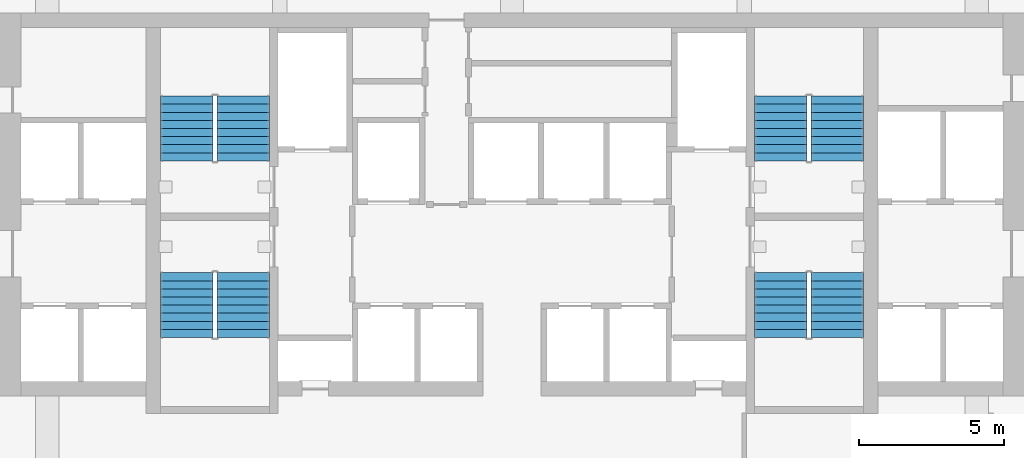
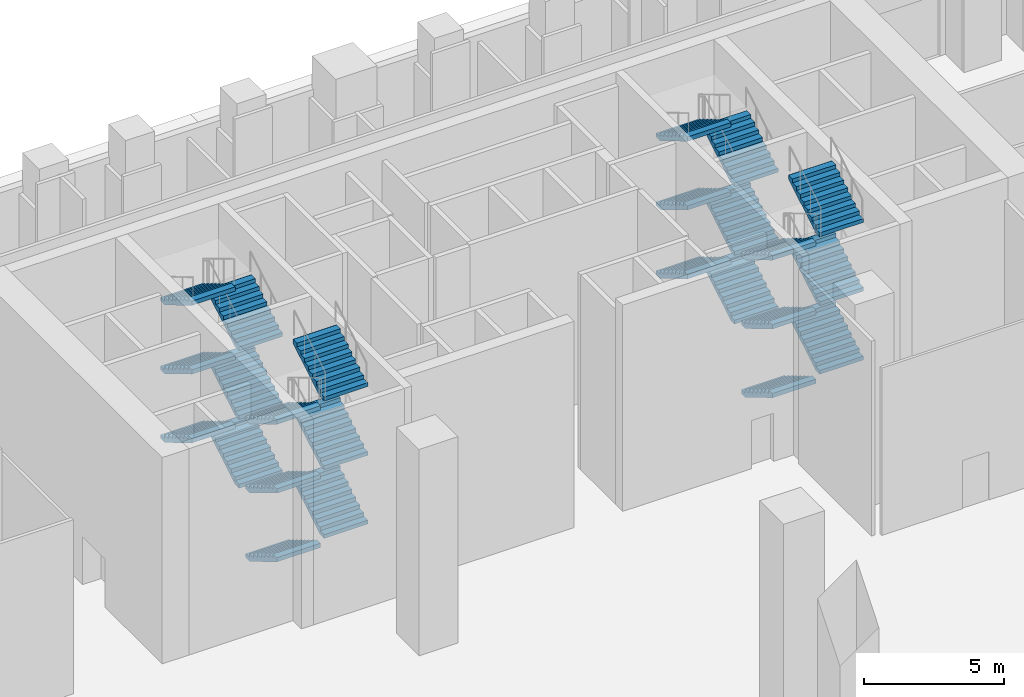
# One storey, part 33 of 51: 24 stair flights, 4 elements without a shape of their own.
"""IFC4 building model written with IfcOpenShell, lengths in metres."""

from ifc_helpers import new_model, si_unit, direction, frame, origin, place, context, subcontext, project, spatial, faceted_brep, source, transform, mapped, material, type_object, element, aggregate, save


model = new_model("IFC4")

# Units and contexts
model_context = context("Model", 3, precision=1e-05, world=origin(), true_north=direction((0.0, 1.0)))
body_context = subcontext(model_context, "Body", "Model", "MODEL_VIEW")
ifc_project = project(units=[si_unit("LENGTHUNIT", "METRE"), si_unit("AREAUNIT", "SQUARE_METRE"), si_unit("VOLUMEUNIT", "CUBIC_METRE"), si_unit("PLANEANGLEUNIT", "RADIAN"), si_unit("MASSUNIT", "GRAM", prefix="KILO")], contexts=[model_context])

# Site, building, storey
site_placement = place(None, origin())
site = spatial("IfcSite", under=ifc_project, at=site_placement, CompositionType="ELEMENT")
building_placement = place(site_placement, origin())
building = spatial("IfcBuilding", under=site, at=building_placement, Name="Calabash Gate Tower", CompositionType="ELEMENT")
storey_placement = place(building_placement, origin())
storey = spatial("IfcBuildingStorey", under=building, at=storey_placement, Name="L00", CompositionType="ELEMENT", Elevation=0.0)

# Stair, stair flights
ifc_material_1 = material(Name="Concrete C40/50", Category="concrete")
stair_type = type_object("IfcStairType", Name="Exit stair 54 risers of 166.7 mm", PredefinedType="HALF_TURN_STAIR", material=ifc_material_1)
stair_1_placement = place(storey_placement, origin())
stair_1 = element("IfcStair", 1, at=stair_1_placement, inside=storey, type_object=stair_type, Name="L00 Exit stair ST1", PredefinedType="HALF_TURN_STAIR")
ifc_material_2 = material(Name="Concrete C40/50", Category="concrete")
stair_flight_type = type_object("IfcStairFlightType", Name="Exit stair flight SFL", PredefinedType="STRAIGHT", material=ifc_material_2)
shared_shape = source(origin(), body_context, "Body", "Brep", [
    faceted_brep([(-0.0009765625, -0.89990234375, 0.0), (0.292236328125, -0.89990234375, 0.0), (2.23291015625, -0.89990234375, 1.15869140625), (-0.0009765625, 0.89990234375, 0.0), (2.23291015625, 0.89990234375, 1.15869140625), (0.292236328125, 0.89990234375, 0.0), (2.23291015625, -0.89990234375, 1.34521484375), (2.23193359375, -0.89990234375, 1.34521484375), (2.23193359375, 0.89990234375, 1.34521484375), (2.23291015625, 0.89990234375, 1.34521484375), (2.23193359375, -0.89990234375, 1.333251953125), (2.23193359375, 0.89990234375, 1.333251953125), (1.952880859375, -0.89990234375, 1.333251953125), (1.952880859375, 0.89990234375, 1.333251953125), (1.952880859375, -0.89990234375, 1.166748046875), (1.952880859375, 0.89990234375, 1.166748046875), (1.674072265625, -0.89990234375, 1.166748046875), (1.674072265625, 0.89990234375, 1.166748046875), (1.674072265625, -0.89990234375, 1.0), (1.674072265625, 0.89990234375, 1.0), (1.39501953125, -0.89990234375, 1.0), (1.39501953125, -0.89990234375, 0.833251953125), (1.39501953125, 0.89990234375, 0.833251953125), (1.39501953125, 0.89990234375, 1.0), (1.115966796875, -0.89990234375, 0.833251953125), (1.115966796875, -0.89990234375, 0.666748046875), (1.115966796875, 0.89990234375, 0.666748046875), (1.115966796875, 0.89990234375, 0.833251953125), (0.8369140625, -0.89990234375, 0.666748046875), (0.8369140625, -0.89990234375, 0.5), (0.8369140625, 0.89990234375, 0.5), (0.8369140625, 0.89990234375, 0.666748046875), (0.55810546875, -0.89990234375, 0.5), (0.55810546875, -0.89990234375, 0.333251953125), (0.55810546875, 0.89990234375, 0.333251953125), (0.55810546875, 0.89990234375, 0.5), (0.279052734375, -0.89990234375, 0.333251953125), (0.279052734375, -0.89990234375, 0.166748046875), (0.279052734375, 0.89990234375, 0.166748046875), (0.279052734375, 0.89990234375, 0.333251953125), (-0.0009765625, -0.89990234375, 0.166748046875), (-0.0009765625, 0.89990234375, 0.166748046875), (0.292236328125, -0.360107421875, 0.0), (2.23291015625, -0.360107421875, 1.15869140625), (0.292236328125, -0.239990234375, 0.0), (2.23291015625, -0.239990234375, 1.15869140625), (0.292236328125, -0.1201171875, 0.0), (2.23291015625, -0.1201171875, 1.15869140625), (0.292236328125, 0.0, 0.0), (2.23291015625, 0.0, 1.15869140625), (0.292236328125, 0.1201171875, 0.0), (2.23291015625, 0.1201171875, 1.15869140625), (0.292236328125, 0.239990234375, 0.0), (2.23291015625, 0.239990234375, 1.15869140625), (0.292236328125, 0.360107421875, 0.0), (2.23291015625, 0.360107421875, 1.15869140625), (2.23291015625, -0.360107421875, 1.34521484375), (2.23291015625, -0.239990234375, 1.34521484375), (2.23291015625, -0.1201171875, 1.34521484375), (2.23291015625, 0.0, 1.34521484375), (2.23291015625, 0.1201171875, 1.34521484375), (2.23291015625, 0.239990234375, 1.34521484375), (2.23291015625, 0.360107421875, 1.34521484375), (2.23193359375, -0.360107421875, 1.34521484375), (2.23193359375, -0.239990234375, 1.34521484375), (2.23193359375, -0.1201171875, 1.34521484375), (2.23193359375, 0.0, 1.34521484375), (2.23193359375, 0.1201171875, 1.34521484375), (2.23193359375, 0.239990234375, 1.34521484375), (2.23193359375, 0.360107421875, 1.34521484375), (2.23193359375, -0.360107421875, 1.333251953125), (2.23193359375, -0.239990234375, 1.333251953125), (2.23193359375, -0.1201171875, 1.333251953125), (2.23193359375, 0.0, 1.333251953125), (2.23193359375, 0.1201171875, 1.333251953125), (2.23193359375, 0.239990234375, 1.333251953125), (2.23193359375, 0.360107421875, 1.333251953125), (1.952880859375, -0.360107421875, 1.333251953125), (1.952880859375, -0.239990234375, 1.333251953125), (1.952880859375, -0.1201171875, 1.333251953125), (1.952880859375, 0.0, 1.333251953125), (1.952880859375, 0.1201171875, 1.333251953125), (1.952880859375, 0.239990234375, 1.333251953125), (1.952880859375, 0.360107421875, 1.333251953125), (1.952880859375, -0.360107421875, 1.166748046875), (1.952880859375, -0.239990234375, 1.166748046875), (1.952880859375, -0.1201171875, 1.166748046875), (1.952880859375, 0.0, 1.166748046875), (1.952880859375, 0.1201171875, 1.166748046875), (1.952880859375, 0.239990234375, 1.166748046875), (1.952880859375, 0.360107421875, 1.166748046875), (1.674072265625, -0.360107421875, 1.166748046875), (1.674072265625, -0.239990234375, 1.166748046875), (1.674072265625, -0.1201171875, 1.166748046875), (1.674072265625, 0.0, 1.166748046875), (1.674072265625, 0.1201171875, 1.166748046875), (1.674072265625, 0.239990234375, 1.166748046875), (1.674072265625, 0.360107421875, 1.166748046875), (1.674072265625, -0.360107421875, 1.0), (1.674072265625, -0.239990234375, 1.0), (1.674072265625, -0.1201171875, 1.0), (1.674072265625, 0.0, 1.0), (1.674072265625, 0.1201171875, 1.0), (1.674072265625, 0.239990234375, 1.0), (1.674072265625, 0.360107421875, 1.0), (1.39501953125, -0.360107421875, 1.0), (1.39501953125, -0.239990234375, 1.0), (1.39501953125, -0.1201171875, 1.0), (1.39501953125, 0.0, 1.0), (1.39501953125, 0.1201171875, 1.0), (1.39501953125, 0.239990234375, 1.0), (1.39501953125, 0.360107421875, 1.0), (1.39501953125, -0.360107421875, 0.833251953125), (1.39501953125, -0.239990234375, 0.833251953125), (1.39501953125, -0.1201171875, 0.833251953125), (1.39501953125, 0.0, 0.833251953125), (1.39501953125, 0.1201171875, 0.833251953125), (1.39501953125, 0.239990234375, 0.833251953125), (1.39501953125, 0.360107421875, 0.833251953125), (1.115966796875, -0.360107421875, 0.833251953125), (1.115966796875, -0.239990234375, 0.833251953125), (1.115966796875, -0.1201171875, 0.833251953125), (1.115966796875, 0.0, 0.833251953125), (1.115966796875, 0.1201171875, 0.833251953125), (1.115966796875, 0.239990234375, 0.833251953125), (1.115966796875, 0.360107421875, 0.833251953125), (1.115966796875, -0.360107421875, 0.666748046875), (1.115966796875, -0.239990234375, 0.666748046875), (1.115966796875, -0.1201171875, 0.666748046875), (1.115966796875, 0.0, 0.666748046875), (1.115966796875, 0.1201171875, 0.666748046875), (1.115966796875, 0.239990234375, 0.666748046875), (1.115966796875, 0.360107421875, 0.666748046875), (0.8369140625, -0.360107421875, 0.666748046875), (0.8369140625, -0.239990234375, 0.666748046875), (0.8369140625, -0.1201171875, 0.666748046875), (0.8369140625, 0.0, 0.666748046875), (0.8369140625, 0.1201171875, 0.666748046875), (0.8369140625, 0.239990234375, 0.666748046875), (0.8369140625, 0.360107421875, 0.666748046875), (0.8369140625, -0.360107421875, 0.5), (0.8369140625, -0.239990234375, 0.5), (0.8369140625, -0.1201171875, 0.5), (0.8369140625, 0.0, 0.5), (0.8369140625, 0.1201171875, 0.5), (0.8369140625, 0.239990234375, 0.5), (0.8369140625, 0.360107421875, 0.5), (0.55810546875, -0.360107421875, 0.5), (0.55810546875, -0.239990234375, 0.5), (0.55810546875, -0.1201171875, 0.5), (0.55810546875, 0.0, 0.5), (0.55810546875, 0.1201171875, 0.5), (0.55810546875, 0.239990234375, 0.5), (0.55810546875, 0.360107421875, 0.5), (0.55810546875, -0.360107421875, 0.333251953125), (0.55810546875, -0.239990234375, 0.333251953125), (0.55810546875, -0.1201171875, 0.333251953125), (0.55810546875, 0.0, 0.333251953125), (0.55810546875, 0.1201171875, 0.333251953125), (0.55810546875, 0.239990234375, 0.333251953125), (0.55810546875, 0.360107421875, 0.333251953125), (0.279052734375, -0.360107421875, 0.333251953125), (0.279052734375, -0.239990234375, 0.333251953125), (0.279052734375, -0.1201171875, 0.333251953125), (0.279052734375, 0.0, 0.333251953125), (0.279052734375, 0.1201171875, 0.333251953125), (0.279052734375, 0.239990234375, 0.333251953125), (0.279052734375, 0.360107421875, 0.333251953125), (0.279052734375, -0.360107421875, 0.166748046875), (0.279052734375, -0.239990234375, 0.166748046875), (0.279052734375, -0.1201171875, 0.166748046875), (0.279052734375, 0.0, 0.166748046875), (0.279052734375, 0.1201171875, 0.166748046875), (0.279052734375, 0.239990234375, 0.166748046875), (0.279052734375, 0.360107421875, 0.166748046875), (-0.0009765625, -0.360107421875, 0.166748046875), (-0.0009765625, -0.239990234375, 0.166748046875), (-0.0009765625, -0.1201171875, 0.166748046875), (-0.0009765625, 0.0, 0.166748046875), (-0.0009765625, 0.1201171875, 0.166748046875), (-0.0009765625, 0.239990234375, 0.166748046875), (-0.0009765625, 0.360107421875, 0.166748046875), (-0.0009765625, -0.360107421875, 0.0), (-0.0009765625, -0.239990234375, 0.0), (-0.0009765625, -0.1201171875, 0.0), (-0.0009765625, 0.0, 0.0), (-0.0009765625, 0.1201171875, 0.0), (-0.0009765625, 0.239990234375, 0.0), (-0.0009765625, 0.360107421875, 0.0)], [[[0, 1, 2]], [[3, 4, 5]], [[2, 6, 7]], [[4, 8, 9]], [[2, 7, 10]], [[4, 11, 8]], [[2, 10, 12]], [[4, 13, 11]], [[2, 12, 14]], [[4, 15, 13]], [[2, 14, 16]], [[4, 17, 15]], [[2, 16, 18]], [[4, 19, 17]], [[18, 20, 21]], [[19, 22, 23]], [[2, 18, 21]], [[4, 22, 19]], [[21, 24, 25]], [[22, 26, 27]], [[2, 21, 25]], [[4, 26, 22]], [[25, 28, 29]], [[26, 30, 31]], [[2, 25, 29]], [[4, 30, 26]], [[29, 32, 33]], [[30, 34, 35]], [[2, 29, 33]], [[4, 34, 30]], [[33, 36, 37]], [[34, 38, 39]], [[2, 33, 37]], [[4, 38, 34]], [[0, 2, 37]], [[3, 38, 4]], [[37, 40, 0]], [[38, 3, 41]], [[1, 42, 2]], [[42, 43, 2]], [[42, 44, 43]], [[44, 45, 43]], [[44, 46, 45]], [[46, 47, 45]], [[46, 48, 47]], [[48, 49, 47]], [[48, 50, 51]], [[48, 51, 49]], [[50, 52, 53]], [[50, 53, 51]], [[52, 54, 55]], [[52, 55, 53]], [[54, 5, 4]], [[54, 4, 55]], [[2, 43, 6]], [[43, 56, 6]], [[43, 45, 56]], [[45, 57, 56]], [[45, 47, 57]], [[47, 58, 57]], [[47, 49, 58]], [[49, 59, 58]], [[49, 51, 60]], [[49, 60, 59]], [[51, 53, 61]], [[51, 61, 60]], [[53, 55, 62]], [[53, 62, 61]], [[55, 4, 9]], [[55, 9, 62]], [[6, 56, 7]], [[56, 63, 7]], [[56, 57, 63]], [[57, 64, 63]], [[57, 58, 64]], [[58, 65, 64]], [[58, 59, 65]], [[59, 66, 65]], [[59, 60, 67]], [[59, 67, 66]], [[60, 61, 68]], [[60, 68, 67]], [[61, 62, 69]], [[61, 69, 68]], [[62, 9, 8]], [[62, 8, 69]], [[7, 63, 10]], [[63, 70, 10]], [[63, 64, 70]], [[64, 71, 70]], [[64, 65, 71]], [[65, 72, 71]], [[65, 66, 72]], [[66, 73, 72]], [[66, 67, 74]], [[66, 74, 73]], [[67, 68, 75]], [[67, 75, 74]], [[68, 69, 76]], [[68, 76, 75]], [[69, 8, 11]], [[69, 11, 76]], [[10, 70, 12]], [[70, 77, 12]], [[70, 71, 77]], [[71, 78, 77]], [[71, 72, 78]], [[72, 79, 78]], [[72, 73, 79]], [[73, 80, 79]], [[73, 74, 81]], [[73, 81, 80]], [[74, 75, 82]], [[74, 82, 81]], [[75, 76, 83]], [[75, 83, 82]], [[76, 11, 13]], [[76, 13, 83]], [[12, 77, 14]], [[77, 84, 14]], [[77, 78, 84]], [[78, 85, 84]], [[78, 79, 85]], [[79, 86, 85]], [[79, 80, 86]], [[80, 87, 86]], [[80, 81, 88]], [[80, 88, 87]], [[81, 82, 89]], [[81, 89, 88]], [[82, 83, 90]], [[82, 90, 89]], [[83, 13, 15]], [[83, 15, 90]], [[14, 84, 16]], [[84, 91, 16]], [[84, 85, 91]], [[85, 92, 91]], [[85, 86, 92]], [[86, 93, 92]], [[86, 87, 93]], [[87, 94, 93]], [[87, 88, 95]], [[87, 95, 94]], [[88, 89, 96]], [[88, 96, 95]], [[89, 90, 97]], [[89, 97, 96]], [[90, 15, 17]], [[90, 17, 97]], [[16, 91, 18]], [[91, 98, 18]], [[91, 92, 98]], [[92, 99, 98]], [[92, 93, 99]], [[93, 100, 99]], [[93, 94, 100]], [[94, 101, 100]], [[94, 95, 102]], [[94, 102, 101]], [[95, 96, 103]], [[95, 103, 102]], [[96, 97, 104]], [[96, 104, 103]], [[97, 17, 19]], [[97, 19, 104]], [[18, 98, 20]], [[98, 105, 20]], [[98, 99, 105]], [[99, 106, 105]], [[99, 100, 106]], [[100, 107, 106]], [[100, 101, 107]], [[101, 108, 107]], [[101, 102, 109]], [[101, 109, 108]], [[102, 103, 110]], [[102, 110, 109]], [[103, 104, 111]], [[103, 111, 110]], [[104, 19, 23]], [[104, 23, 111]], [[20, 105, 21]], [[105, 112, 21]], [[105, 106, 112]], [[106, 113, 112]], [[106, 107, 113]], [[107, 114, 113]], [[107, 108, 114]], [[108, 115, 114]], [[108, 109, 116]], [[108, 116, 115]], [[109, 110, 117]], [[109, 117, 116]], [[110, 111, 118]], [[110, 118, 117]], [[111, 23, 22]], [[111, 22, 118]], [[21, 112, 24]], [[112, 119, 24]], [[112, 113, 119]], [[113, 120, 119]], [[113, 114, 120]], [[114, 121, 120]], [[114, 115, 121]], [[115, 122, 121]], [[115, 116, 123]], [[115, 123, 122]], [[116, 117, 124]], [[116, 124, 123]], [[117, 118, 125]], [[117, 125, 124]], [[118, 22, 27]], [[118, 27, 125]], [[24, 119, 25]], [[119, 126, 25]], [[119, 120, 126]], [[120, 127, 126]], [[120, 121, 127]], [[121, 128, 127]], [[121, 122, 128]], [[122, 129, 128]], [[122, 123, 130]], [[122, 130, 129]], [[123, 124, 131]], [[123, 131, 130]], [[124, 125, 132]], [[124, 132, 131]], [[125, 27, 26]], [[125, 26, 132]], [[25, 126, 28]], [[126, 133, 28]], [[126, 127, 133]], [[127, 134, 133]], [[127, 128, 134]], [[128, 135, 134]], [[128, 129, 135]], [[129, 136, 135]], [[129, 130, 137]], [[129, 137, 136]], [[130, 131, 138]], [[130, 138, 137]], [[131, 132, 139]], [[131, 139, 138]], [[132, 26, 31]], [[132, 31, 139]], [[28, 133, 29]], [[133, 140, 29]], [[133, 134, 140]], [[134, 141, 140]], [[134, 135, 141]], [[135, 142, 141]], [[135, 136, 142]], [[136, 143, 142]], [[136, 137, 144]], [[136, 144, 143]], [[137, 138, 145]], [[137, 145, 144]], [[138, 139, 146]], [[138, 146, 145]], [[139, 31, 30]], [[139, 30, 146]], [[29, 140, 32]], [[140, 147, 32]], [[140, 141, 147]], [[141, 148, 147]], [[141, 142, 148]], [[142, 149, 148]], [[142, 143, 149]], [[143, 150, 149]], [[143, 144, 151]], [[143, 151, 150]], [[144, 145, 152]], [[144, 152, 151]], [[145, 146, 153]], [[145, 153, 152]], [[146, 30, 35]], [[146, 35, 153]], [[32, 147, 33]], [[147, 154, 33]], [[147, 148, 154]], [[148, 155, 154]], [[148, 149, 155]], [[149, 156, 155]], [[149, 150, 156]], [[150, 157, 156]], [[150, 151, 158]], [[150, 158, 157]], [[151, 152, 159]], [[151, 159, 158]], [[152, 153, 160]], [[152, 160, 159]], [[153, 35, 34]], [[153, 34, 160]], [[33, 154, 36]], [[154, 161, 36]], [[154, 155, 161]], [[155, 162, 161]], [[155, 156, 162]], [[156, 163, 162]], [[156, 157, 163]], [[157, 164, 163]], [[157, 158, 165]], [[157, 165, 164]], [[158, 159, 166]], [[158, 166, 165]], [[159, 160, 167]], [[159, 167, 166]], [[160, 34, 39]], [[160, 39, 167]], [[36, 161, 37]], [[161, 168, 37]], [[161, 162, 168]], [[162, 169, 168]], [[162, 163, 169]], [[163, 170, 169]], [[163, 164, 170]], [[164, 171, 170]], [[164, 165, 172]], [[164, 172, 171]], [[165, 166, 173]], [[165, 173, 172]], [[166, 167, 174]], [[166, 174, 173]], [[167, 39, 38]], [[167, 38, 174]], [[37, 168, 40]], [[168, 175, 40]], [[168, 169, 175]], [[169, 176, 175]], [[169, 170, 176]], [[170, 177, 176]], [[170, 171, 177]], [[171, 178, 177]], [[171, 172, 179]], [[171, 179, 178]], [[172, 173, 180]], [[172, 180, 179]], [[173, 174, 181]], [[173, 181, 180]], [[174, 38, 41]], [[174, 41, 181]], [[40, 175, 0]], [[175, 182, 0]], [[175, 176, 182]], [[176, 183, 182]], [[176, 177, 183]], [[177, 184, 183]], [[177, 178, 184]], [[178, 185, 184]], [[178, 179, 186]], [[178, 186, 185]], [[179, 180, 187]], [[179, 187, 186]], [[180, 181, 188]], [[180, 188, 187]], [[181, 41, 3]], [[181, 3, 188]], [[0, 182, 1]], [[182, 42, 1]], [[182, 183, 42]], [[183, 44, 42]], [[183, 184, 44]], [[184, 46, 44]], [[184, 185, 46]], [[185, 48, 46]], [[185, 186, 50]], [[185, 50, 48]], [[186, 187, 52]], [[186, 52, 50]], [[187, 188, 54]], [[187, 54, 52]], [[188, 3, 5]], [[188, 5, 54]]]),
])
stair_flight_1_placement = place(storey_placement, frame((-9.25, 13.95263671875, 0.0), z_axis=(0.0, 0.0, 1.0), x_axis=(0.0, 1.0, 0.0)))
stair_flight_1 = element("IfcStairFlight", 2, at=stair_flight_1_placement, type_object=stair_flight_type, Name="ST1 flight 1", NumberOfRisers=9, NumberOfTreads=8, PredefinedType="STRAIGHT", RiserHeight=0.166666667, TreadLength=0.279, context=body_context, shape_type="MappedRepresentation", body=[
    mapped(shared_shape, transform((0.0, 0.0, 0.0), scale=1.0)),
])
stair_flight_2_placement = place(storey_placement, frame((-11.199951171875, 16.1845703125, 1.5), z_axis=(0.0, 0.0, 1.0), x_axis=(0.0, -1.0, 0.0)))
stair_flight_2 = element("IfcStairFlight", 3, at=stair_flight_2_placement, type_object=stair_flight_type, Name="ST1 flight 2", NumberOfRisers=9, NumberOfTreads=8, PredefinedType="STRAIGHT", RiserHeight=0.166666667, TreadLength=0.279, context=body_context, shape_type="MappedRepresentation", body=[
    mapped(shared_shape, transform((0.0, 0.0, 0.0), scale=1.0)),
])
stair_flight_3_placement = place(storey_placement, frame((-9.25, 13.95263671875, 3.0), z_axis=(0.0, 0.0, 1.0), x_axis=(0.0, 1.0, 0.0)))
stair_flight_3 = element("IfcStairFlight", 4, at=stair_flight_3_placement, type_object=stair_flight_type, Name="ST1 flight 3", NumberOfRisers=9, NumberOfTreads=8, PredefinedType="STRAIGHT", RiserHeight=0.166666667, TreadLength=0.279, context=body_context, shape_type="MappedRepresentation", body=[
    mapped(shared_shape, transform((0.0, 0.0, 0.0), scale=1.0)),
])
stair_flight_4_placement = place(storey_placement, frame((-11.199951171875, 16.1845703125, 4.5), z_axis=(0.0, 0.0, 1.0), x_axis=(0.0, -1.0, 0.0)))
stair_flight_4 = element("IfcStairFlight", 5, at=stair_flight_4_placement, type_object=stair_flight_type, Name="ST1 flight 4", NumberOfRisers=9, NumberOfTreads=8, PredefinedType="STRAIGHT", RiserHeight=0.166666667, TreadLength=0.279, context=body_context, shape_type="MappedRepresentation", body=[
    mapped(shared_shape, transform((0.0, 0.0, 0.0), scale=1.0)),
])
stair_flight_5_placement = place(storey_placement, frame((-9.25, 13.95263671875, 6.0), z_axis=(0.0, 0.0, 1.0), x_axis=(0.0, 1.0, 0.0)))
stair_flight_5 = element("IfcStairFlight", 6, at=stair_flight_5_placement, type_object=stair_flight_type, Name="ST1 flight 5", NumberOfRisers=9, NumberOfTreads=8, PredefinedType="STRAIGHT", RiserHeight=0.166666667, TreadLength=0.279, context=body_context, shape_type="MappedRepresentation", body=[
    mapped(shared_shape, transform((0.0, 0.0, 0.0), scale=1.0)),
])
stair_flight_6_placement = place(storey_placement, frame((-11.199951171875, 16.1845703125, 7.5), z_axis=(0.0, 0.0, 1.0), x_axis=(0.0, -1.0, 0.0)))
stair_flight_6 = element("IfcStairFlight", 7, at=stair_flight_6_placement, type_object=stair_flight_type, Name="ST1 flight 6", NumberOfRisers=9, NumberOfTreads=8, PredefinedType="STRAIGHT", RiserHeight=0.166666667, TreadLength=0.279, context=body_context, shape_type="MappedRepresentation", body=[
    mapped(shared_shape, transform((0.0, 0.0, 0.0), scale=1.0)),
])
aggregate(stair_1, [stair_flight_1, stair_flight_2, stair_flight_3, stair_flight_4, stair_flight_5, stair_flight_6])

stair_2_placement = place(storey_placement, origin())
stair_2 = element("IfcStair", 8, at=stair_2_placement, inside=storey, type_object=stair_type, Name="L00 Exit stair ST2", PredefinedType="HALF_TURN_STAIR")
stair_flight_7_placement = place(storey_placement, frame((-11.199951171875, 10.1025390625, 0.0), z_axis=(0.0, 0.0, 1.0), x_axis=(0.0, -1.0, 0.0)))
stair_flight_7 = element("IfcStairFlight", 9, at=stair_flight_7_placement, type_object=stair_flight_type, Name="ST2 flight 1", NumberOfRisers=9, NumberOfTreads=8, PredefinedType="STRAIGHT", RiserHeight=0.166666667, TreadLength=0.279, context=body_context, shape_type="MappedRepresentation", body=[
    mapped(shared_shape, transform((0.0, 0.0, 0.0), scale=1.0)),
])
stair_flight_8_placement = place(storey_placement, frame((-9.25, 7.87060546875, 1.5), z_axis=(0.0, 0.0, 1.0), x_axis=(0.0, 1.0, 0.0)))
stair_flight_8 = element("IfcStairFlight", 10, at=stair_flight_8_placement, type_object=stair_flight_type, Name="ST2 flight 2", NumberOfRisers=9, NumberOfTreads=8, PredefinedType="STRAIGHT", RiserHeight=0.166666667, TreadLength=0.279, context=body_context, shape_type="MappedRepresentation", body=[
    mapped(shared_shape, transform((0.0, 0.0, 0.0), scale=1.0)),
])
stair_flight_9_placement = place(storey_placement, frame((-11.199951171875, 10.1025390625, 3.0), z_axis=(0.0, 0.0, 1.0), x_axis=(0.0, -1.0, 0.0)))
stair_flight_9 = element("IfcStairFlight", 11, at=stair_flight_9_placement, type_object=stair_flight_type, Name="ST2 flight 3", NumberOfRisers=9, NumberOfTreads=8, PredefinedType="STRAIGHT", RiserHeight=0.166666667, TreadLength=0.279, context=body_context, shape_type="MappedRepresentation", body=[
    mapped(shared_shape, transform((0.0, 0.0, 0.0), scale=1.0)),
])
stair_flight_10_placement = place(storey_placement, frame((-9.25, 7.87060546875, 4.5), z_axis=(0.0, 0.0, 1.0), x_axis=(0.0, 1.0, 0.0)))
stair_flight_10 = element("IfcStairFlight", 12, at=stair_flight_10_placement, type_object=stair_flight_type, Name="ST2 flight 4", NumberOfRisers=9, NumberOfTreads=8, PredefinedType="STRAIGHT", RiserHeight=0.166666667, TreadLength=0.279, context=body_context, shape_type="MappedRepresentation", body=[
    mapped(shared_shape, transform((0.0, 0.0, 0.0), scale=1.0)),
])
stair_flight_11_placement = place(storey_placement, frame((-11.199951171875, 10.1025390625, 6.0), z_axis=(0.0, 0.0, 1.0), x_axis=(0.0, -1.0, 0.0)))
stair_flight_11 = element("IfcStairFlight", 13, at=stair_flight_11_placement, type_object=stair_flight_type, Name="ST2 flight 5", NumberOfRisers=9, NumberOfTreads=8, PredefinedType="STRAIGHT", RiserHeight=0.166666667, TreadLength=0.279, context=body_context, shape_type="MappedRepresentation", body=[
    mapped(shared_shape, transform((0.0, 0.0, 0.0), scale=1.0)),
])
stair_flight_12_placement = place(storey_placement, frame((-9.25, 7.87060546875, 7.5), z_axis=(0.0, 0.0, 1.0), x_axis=(0.0, 1.0, 0.0)))
stair_flight_12 = element("IfcStairFlight", 14, at=stair_flight_12_placement, type_object=stair_flight_type, Name="ST2 flight 6", NumberOfRisers=9, NumberOfTreads=8, PredefinedType="STRAIGHT", RiserHeight=0.166666667, TreadLength=0.279, context=body_context, shape_type="MappedRepresentation", body=[
    mapped(shared_shape, transform((0.0, 0.0, 0.0), scale=1.0)),
])
aggregate(stair_2, [stair_flight_7, stair_flight_8, stair_flight_9, stair_flight_10, stair_flight_11, stair_flight_12])

stair_3_placement = place(storey_placement, origin())
stair_3 = element("IfcStair", 15, at=stair_3_placement, inside=storey, type_object=stair_type, Name="L00 Exit stair ST3", PredefinedType="HALF_TURN_STAIR")
stair_flight_13_placement = place(storey_placement, frame((11.199951171875, 13.95263671875, 0.0), z_axis=(0.0, 0.0, 1.0), x_axis=(0.0, 1.0, 0.0)))
stair_flight_13 = element("IfcStairFlight", 16, at=stair_flight_13_placement, type_object=stair_flight_type, Name="ST3 flight 1", NumberOfRisers=9, NumberOfTreads=8, PredefinedType="STRAIGHT", RiserHeight=0.166666667, TreadLength=0.279, context=body_context, shape_type="MappedRepresentation", body=[
    mapped(shared_shape, transform((0.0, 0.0, 0.0), scale=1.0)),
])
stair_flight_14_placement = place(storey_placement, frame((9.25, 16.1845703125, 1.5), z_axis=(0.0, 0.0, 1.0), x_axis=(0.0, -1.0, 0.0)))
stair_flight_14 = element("IfcStairFlight", 17, at=stair_flight_14_placement, type_object=stair_flight_type, Name="ST3 flight 2", NumberOfRisers=9, NumberOfTreads=8, PredefinedType="STRAIGHT", RiserHeight=0.166666667, TreadLength=0.279, context=body_context, shape_type="MappedRepresentation", body=[
    mapped(shared_shape, transform((0.0, 0.0, 0.0), scale=1.0)),
])
stair_flight_15_placement = place(storey_placement, frame((11.199951171875, 13.95263671875, 3.0), z_axis=(0.0, 0.0, 1.0), x_axis=(0.0, 1.0, 0.0)))
stair_flight_15 = element("IfcStairFlight", 18, at=stair_flight_15_placement, type_object=stair_flight_type, Name="ST3 flight 3", NumberOfRisers=9, NumberOfTreads=8, PredefinedType="STRAIGHT", RiserHeight=0.166666667, TreadLength=0.279, context=body_context, shape_type="MappedRepresentation", body=[
    mapped(shared_shape, transform((0.0, 0.0, 0.0), scale=1.0)),
])
stair_flight_16_placement = place(storey_placement, frame((9.25, 16.1845703125, 4.5), z_axis=(0.0, 0.0, 1.0), x_axis=(0.0, -1.0, 0.0)))
stair_flight_16 = element("IfcStairFlight", 19, at=stair_flight_16_placement, type_object=stair_flight_type, Name="ST3 flight 4", NumberOfRisers=9, NumberOfTreads=8, PredefinedType="STRAIGHT", RiserHeight=0.166666667, TreadLength=0.279, context=body_context, shape_type="MappedRepresentation", body=[
    mapped(shared_shape, transform((0.0, 0.0, 0.0), scale=1.0)),
])
stair_flight_17_placement = place(storey_placement, frame((11.199951171875, 13.95263671875, 6.0), z_axis=(0.0, 0.0, 1.0), x_axis=(0.0, 1.0, 0.0)))
stair_flight_17 = element("IfcStairFlight", 20, at=stair_flight_17_placement, type_object=stair_flight_type, Name="ST3 flight 5", NumberOfRisers=9, NumberOfTreads=8, PredefinedType="STRAIGHT", RiserHeight=0.166666667, TreadLength=0.279, context=body_context, shape_type="MappedRepresentation", body=[
    mapped(shared_shape, transform((0.0, 0.0, 0.0), scale=1.0)),
])
stair_flight_18_placement = place(storey_placement, frame((9.25, 16.1845703125, 7.5), z_axis=(0.0, 0.0, 1.0), x_axis=(0.0, -1.0, 0.0)))
stair_flight_18 = element("IfcStairFlight", 21, at=stair_flight_18_placement, type_object=stair_flight_type, Name="ST3 flight 6", NumberOfRisers=9, NumberOfTreads=8, PredefinedType="STRAIGHT", RiserHeight=0.166666667, TreadLength=0.279, context=body_context, shape_type="MappedRepresentation", body=[
    mapped(shared_shape, transform((0.0, 0.0, 0.0), scale=1.0)),
])
aggregate(stair_3, [stair_flight_13, stair_flight_14, stair_flight_15, stair_flight_16, stair_flight_17, stair_flight_18])

stair_4_placement = place(storey_placement, origin())
stair_4 = element("IfcStair", 22, at=stair_4_placement, inside=storey, type_object=stair_type, Name="L00 Exit stair ST4", PredefinedType="HALF_TURN_STAIR")
stair_flight_19_placement = place(storey_placement, frame((9.25, 10.1025390625, 0.0), z_axis=(0.0, 0.0, 1.0), x_axis=(0.0, -1.0, 0.0)))
stair_flight_19 = element("IfcStairFlight", 23, at=stair_flight_19_placement, type_object=stair_flight_type, Name="ST4 flight 1", NumberOfRisers=9, NumberOfTreads=8, PredefinedType="STRAIGHT", RiserHeight=0.166666667, TreadLength=0.279, context=body_context, shape_type="MappedRepresentation", body=[
    mapped(shared_shape, transform((0.0, 0.0, 0.0), scale=1.0)),
])
stair_flight_20_placement = place(storey_placement, frame((11.199951171875, 7.87060546875, 1.5), z_axis=(0.0, 0.0, 1.0), x_axis=(0.0, 1.0, 0.0)))
stair_flight_20 = element("IfcStairFlight", 24, at=stair_flight_20_placement, type_object=stair_flight_type, Name="ST4 flight 2", NumberOfRisers=9, NumberOfTreads=8, PredefinedType="STRAIGHT", RiserHeight=0.166666667, TreadLength=0.279, context=body_context, shape_type="MappedRepresentation", body=[
    mapped(shared_shape, transform((0.0, 0.0, 0.0), scale=1.0)),
])
stair_flight_21_placement = place(storey_placement, frame((9.25, 10.1025390625, 3.0), z_axis=(0.0, 0.0, 1.0), x_axis=(0.0, -1.0, 0.0)))
stair_flight_21 = element("IfcStairFlight", 25, at=stair_flight_21_placement, type_object=stair_flight_type, Name="ST4 flight 3", NumberOfRisers=9, NumberOfTreads=8, PredefinedType="STRAIGHT", RiserHeight=0.166666667, TreadLength=0.279, context=body_context, shape_type="MappedRepresentation", body=[
    mapped(shared_shape, transform((0.0, 0.0, 0.0), scale=1.0)),
])
stair_flight_22_placement = place(storey_placement, frame((11.199951171875, 7.87060546875, 4.5), z_axis=(0.0, 0.0, 1.0), x_axis=(0.0, 1.0, 0.0)))
stair_flight_22 = element("IfcStairFlight", 26, at=stair_flight_22_placement, type_object=stair_flight_type, Name="ST4 flight 4", NumberOfRisers=9, NumberOfTreads=8, PredefinedType="STRAIGHT", RiserHeight=0.166666667, TreadLength=0.279, context=body_context, shape_type="MappedRepresentation", body=[
    mapped(shared_shape, transform((0.0, 0.0, 0.0), scale=1.0)),
])
stair_flight_23_placement = place(storey_placement, frame((9.25, 10.1025390625, 6.0), z_axis=(0.0, 0.0, 1.0), x_axis=(0.0, -1.0, 0.0)))
stair_flight_23 = element("IfcStairFlight", 27, at=stair_flight_23_placement, type_object=stair_flight_type, Name="ST4 flight 5", NumberOfRisers=9, NumberOfTreads=8, PredefinedType="STRAIGHT", RiserHeight=0.166666667, TreadLength=0.279, context=body_context, shape_type="MappedRepresentation", body=[
    mapped(shared_shape, transform((0.0, 0.0, 0.0), scale=1.0)),
])
stair_flight_24_placement = place(storey_placement, frame((11.199951171875, 7.87060546875, 7.5), z_axis=(0.0, 0.0, 1.0), x_axis=(0.0, 1.0, 0.0)))
stair_flight_24 = element("IfcStairFlight", 28, at=stair_flight_24_placement, type_object=stair_flight_type, Name="ST4 flight 6", NumberOfRisers=9, NumberOfTreads=8, PredefinedType="STRAIGHT", RiserHeight=0.166666667, TreadLength=0.279, context=body_context, shape_type="MappedRepresentation", body=[
    mapped(shared_shape, transform((0.0, 0.0, 0.0), scale=1.0)),
])
aggregate(stair_4, [stair_flight_19, stair_flight_20, stair_flight_21, stair_flight_22, stair_flight_23, stair_flight_24])

save(model, "model.ifc")
